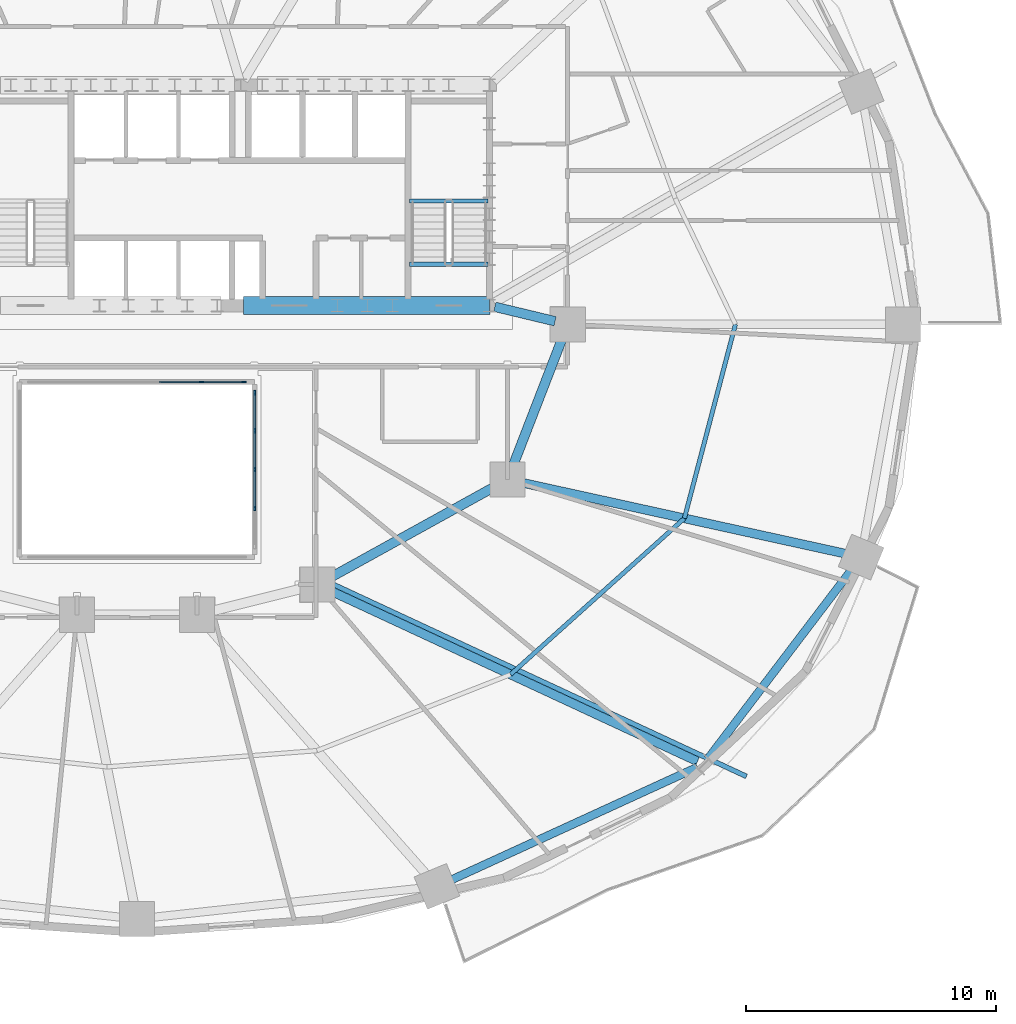
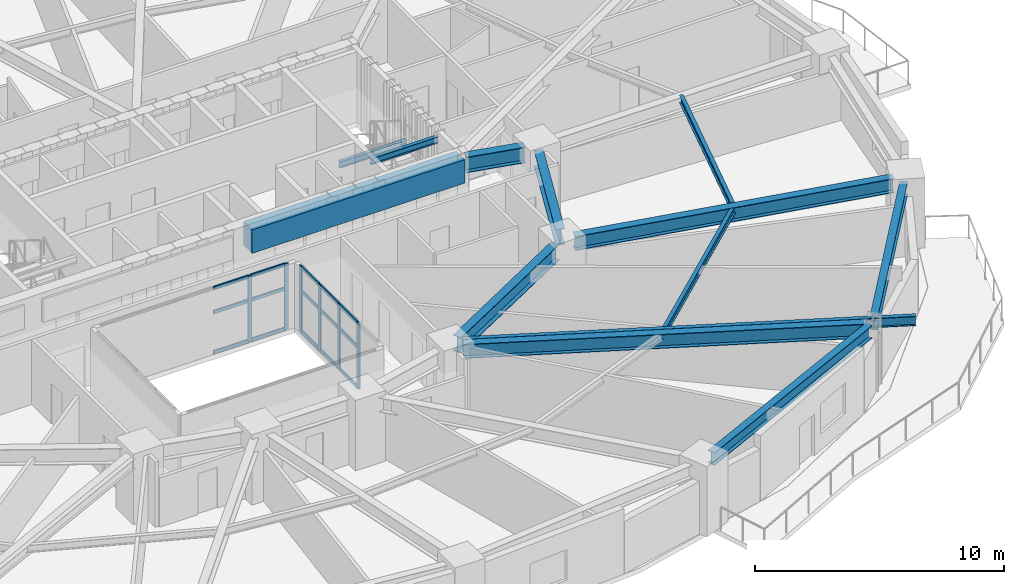
# One storey, part 6 of 17: 21 members, 13 beams, 2 elements without a shape of their own.
"""IFC4 building model written with IfcOpenShell, lengths in metres."""

import ifcopenshell
import ifcopenshell.guid

model = None  # the IFC model being written
_history = None  # IfcOwnerHistory: only IFC2X3 demands one
_inside = {}  # id of a spatial element -> (the spatial element, [elements in it])
_under = {}  # id of a project, library or spatial element -> (it, [spatial elements below it])
_declared = {}  # id of a project -> (the project, [libraries it declares])
_typed = {}  # id of a type object -> (the type object, [elements of that type])
_made_of = {}  # id of a material, layer set ... -> (it, [elements and type objects made of it])


def new_model(schema):
    """Start an empty IFC model of exactly this schema.

    Asked for "IFC4X3", IfcOpenShell would pick the latest addendum, in which some entities
    have other attributes; the version numbers below select the first issue.
    IFC2X3 requires an IfcOwnerHistory on every rooted entity: one is made here for all.
    """
    global model, _history
    if schema == "IFC4X3":
        model = ifcopenshell.file(schema_version=(4, 3, 0, 0))
    else:
        model = ifcopenshell.file(schema=schema)
    _inside.clear()
    _under.clear()
    _declared.clear()
    _typed.clear()
    _made_of.clear()
    _history = None
    if model.schema == "IFC2X3":
        org = make("IfcOrganization", Name="unknown")
        user = make(
            "IfcPersonAndOrganization",
            ThePerson=make("IfcPerson", FamilyName="unknown"),
            TheOrganization=org,
        )
        app = make(
            "IfcApplication",
            ApplicationDeveloper=org,
            Version="unknown",
            ApplicationFullName="unknown",
            ApplicationIdentifier="unknown",
        )
        _history = make(
            "IfcOwnerHistory",
            OwningUser=user,
            OwningApplication=app,
            ChangeAction="ADDED",
            CreationDate=0,
        )
    return model


def make(cls, **values):
    """One entity of the class cls with the attributes given. An attribute that is None is left unset."""
    return model.create_entity(
        cls, **{name: value for name, value in values.items() if value is not None}
    )


def rooted(cls, **values):
    """An entity with a GlobalId (a new one), such as an element, a storey or a relation."""
    return make(cls, GlobalId=ifcopenshell.guid.new(), OwnerHistory=_history, **values)


def si_unit(unit_type, name, prefix=None):
    """IfcSIUnit, for example si_unit("LENGTHUNIT", "METRE", prefix="MILLI")."""
    return make("IfcSIUnit", UnitType=unit_type, Prefix=prefix, Name=name)


def assignment(units):
    """IfcUnitAssignment: the units of a project."""
    return None if units is None else make("IfcUnitAssignment", Units=units)


def point(xyz):
    """IfcCartesianPoint."""
    return None if xyz is None else make("IfcCartesianPoint", Coordinates=xyz)


def direction(xyz):
    """IfcDirection."""
    return None if xyz is None else make("IfcDirection", DirectionRatios=xyz)


def frame(location, z_axis=None, x_axis=None):
    """IfcAxis2Placement3D, a coordinate frame: its origin and axes. An axis left out is left unset."""
    return make(
        "IfcAxis2Placement3D",
        Location=point(location),
        Axis=direction(z_axis),
        RefDirection=direction(x_axis),
    )


def frame_2d(location, x_axis=None):
    """IfcAxis2Placement2D, a coordinate frame in the plane: its origin and x axis."""
    return make(
        "IfcAxis2Placement2D", Location=point(location), RefDirection=direction(x_axis)
    )


def origin():
    """The frame at (0, 0, 0) with its axes left unset."""
    return frame((0.0, 0.0, 0.0))


def origin_2d():
    """The frame at (0, 0) in the plane with its x axis left unset."""
    return frame_2d((0.0, 0.0))


def place(relative_to, where):
    """IfcLocalPlacement: puts the frame where relative to a parent placement (None: the world)."""
    return make(
        "IfcLocalPlacement", PlacementRelTo=relative_to, RelativePlacement=where
    )


def context(
    kind, dimensions, precision=None, world=None, true_north=None, identifier=None
):
    """IfcGeometricRepresentationContext, for example the 3D "Model" context."""
    return make(
        "IfcGeometricRepresentationContext",
        ContextIdentifier=identifier,
        ContextType=kind,
        CoordinateSpaceDimension=dimensions,
        Precision=precision,
        WorldCoordinateSystem=world,
        TrueNorth=true_north,
    )


def subcontext(parent, identifier, kind, view, scale=None):
    """IfcGeometricRepresentationSubContext, for example "Body" below "Model"."""
    return make(
        "IfcGeometricRepresentationSubContext",
        ContextIdentifier=identifier,
        ContextType=kind,
        ParentContext=parent,
        TargetScale=scale,
        TargetView=view,
    )


def project(units=None, contexts=None):
    """IfcProject with its units and contexts."""
    return rooted(
        "IfcProject",
        Name="project",
        RepresentationContexts=contexts,
        UnitsInContext=assignment(units),
    )


def spatial(cls, under=None, at=None, **own):
    """A site, building, storey or space (cls), placed at a placement, below another one or the project."""
    s = rooted(cls, ObjectPlacement=at, **own)
    if under is not None:
        _under.setdefault(under.id(), (under, []))[1].append(s)
    return s


def profile(cls, at=None, kind="AREA", **sizes):
    """A parametric profile (cls). Its sizes go by their IFC names, for example OverallWidth=200.0."""
    return make(cls, ProfileType=kind, Position=at, **sizes)


def rectangle(**sizes):
    """IfcRectangleProfileDef."""
    return profile("IfcRectangleProfileDef", **sizes)


def i_section(**sizes):
    """IfcIShapeProfileDef."""
    return profile("IfcIShapeProfileDef", **sizes)


def extrude(swept, where, along, depth):
    """IfcExtrudedAreaSolid: the profile swept, set in the frame where, extruded along a direction by depth."""
    return make(
        "IfcExtrudedAreaSolid",
        SweptArea=swept,
        Position=where,
        ExtrudedDirection=direction(along),
        Depth=depth,
    )


def shape(context_of_items, identifier, shape_type, items):
    """IfcShapeRepresentation: the items that make up one representation, for example the "Body"."""
    return make(
        "IfcShapeRepresentation",
        ContextOfItems=context_of_items,
        RepresentationIdentifier=identifier,
        RepresentationType=shape_type,
        Items=items,
    )


def material(Name=None, Category=None):
    """IfcMaterial."""
    return make("IfcMaterial", Name=Name, Category=Category)


def material_profile(
    of_material, cross_section, Name=None, Category=None, Priority=None
):
    """IfcMaterialProfile: a cross section and its material."""
    return make(
        "IfcMaterialProfile",
        Name=Name,
        Material=of_material,
        Profile=cross_section,
        Priority=Priority,
        Category=Category,
    )


def profile_set(profiles, Name=None, composite=None):
    """IfcMaterialProfileSet."""
    return make(
        "IfcMaterialProfileSet",
        Name=Name,
        MaterialProfiles=profiles,
        CompositeProfile=composite,
    )


def made_of(thing, what):
    """Note that an element or type object is made of a material, layer set ...; save() writes the relation."""
    if what is not None:
        _made_of.setdefault(what.id(), (what, []))[1].append(thing)
    return thing


def type_object(cls, material=None, **own):
    """A type object (cls), such as IfcWallType, which elements share."""
    return made_of(rooted(cls, **own), material)


def element(
    cls,
    number,
    at=None,
    inside=None,
    cuts=None,
    type_object=None,
    material=None,
    context=None,
    identifier="Body",
    shape_type=None,
    held_by="IfcProductDefinitionShape",
    body=None,
    shapes=None,
    **own,
):
    """One element of the class cls, such as IfcWall. Its Tag is "e" and its number.

    at: its placement. inside: the storey or other place that contains it. cuts: it is an
    opening in that element (IfcRelVoidsElement). A single representation is given by context,
    identifier, shape_type and body (its items); several are given by shapes. held_by: the class
    of the entity that holds the representations. save() writes the other relations.
    """
    e = rooted(cls, Tag="e%d" % number, ObjectPlacement=at, **own)
    if body is not None:
        shapes = [shape(context, identifier, shape_type, body)]
    if shapes is not None:
        e.Representation = make(held_by, Representations=shapes)
    if inside is not None:
        _inside.setdefault(inside.id(), (inside, []))[1].append(e)
    if cuts is not None:
        rooted(
            "IfcRelVoidsElement", RelatingBuildingElement=cuts, RelatedOpeningElement=e
        )
    if type_object is not None:
        _typed.setdefault(type_object.id(), (type_object, []))[1].append(e)
    return made_of(e, material)


def aggregate(whole, parts):
    """IfcRelAggregates: a whole, such as a stair, and the parts it consists of."""
    return rooted("IfcRelAggregates", RelatingObject=whole, RelatedObjects=parts)


def save(model, path):
    """Write the relations noted so far, then the file.

    IfcRelAggregates (storeys below a building ...), IfcRelContainedInSpatialStructure (elements
    in a storey), IfcRelDefinesByType, IfcRelAssociatesMaterial and IfcRelDeclares: one each for
    every whole, place, type object, material and project.
    """
    for whole, parts in _under.values():
        aggregate(whole, parts)
    for where, things in _inside.values():
        rooted(
            "IfcRelContainedInSpatialStructure",
            RelatedElements=things,
            RelatingStructure=where,
        )
    for kind, things in _typed.values():
        rooted("IfcRelDefinesByType", RelatedObjects=things, RelatingType=kind)
    for what, things in _made_of.values():
        rooted("IfcRelAssociatesMaterial", RelatedObjects=things, RelatingMaterial=what)
    for by, libraries in _declared.values():
        rooted("IfcRelDeclares", RelatingContext=by, RelatedDefinitions=libraries)
    model.write(path)


model = new_model("IFC4")

# Units and contexts
model_context = context("Model", 3, precision=1e-05, world=origin(), true_north=direction((0.0, 1.0)))
body_context = subcontext(model_context, "Body", "Model", "MODEL_VIEW")
ifc_project = project(units=[si_unit("LENGTHUNIT", "METRE"), si_unit("AREAUNIT", "SQUARE_METRE"), si_unit("VOLUMEUNIT", "CUBIC_METRE"), si_unit("PLANEANGLEUNIT", "RADIAN"), si_unit("MASSUNIT", "GRAM", prefix="KILO")], contexts=[model_context])

# Site, building, storey
site_placement = place(None, origin())
site = spatial("IfcSite", under=ifc_project, at=site_placement, CompositionType="ELEMENT")
building_placement = place(site_placement, origin())
building = spatial("IfcBuilding", under=site, at=building_placement, Name="Haldorwick Loom Tower", CompositionType="ELEMENT")
storey_placement = place(building_placement, frame((0.0, 0.0, 44.699951171875)))
storey = spatial("IfcBuildingStorey", under=building, at=storey_placement, Name="L11", CompositionType="ELEMENT", Elevation=44.699951171875)

# Curtain wall, members
ifc_material_1 = material(Name="Thermally Broken Anodized Aluminium Curtain Wall Framing", Category="aluminium")
curtain_wall_type = type_object("IfcCurtainWallType", Name="ARC-CW-03", PredefinedType="NOTDEFINED", material=ifc_material_1)
curtain_wall_1_placement = place(storey_placement, origin())
curtain_wall_1 = element("IfcCurtainWall", 1, at=curtain_wall_1_placement, inside=storey, type_object=curtain_wall_type, Name="L11 Atrium Glazed Screen N", PredefinedType="NOTDEFINED")
ifc_material_profile_1 = material_profile(ifc_material_1, rectangle(XDim=0.06591796875, YDim=0.18505859375, at=origin_2d()), Name="ALU_MUL_66X185", Category="aluminium")
ifc_profile_set_1 = profile_set([ifc_material_profile_1], Name="Thermally Broken Anodized Aluminium Curtain Wall Framing")
member_type_1 = type_object("IfcMemberType", Name="ARC-CWM-03", PredefinedType="MULLION", material=ifc_profile_set_1)
member_1_placement = place(storey_placement, frame((38.580078125, 23.699951171875, 0.0), z_axis=(0.0, 0.0, 1.0), x_axis=(0.0, 1.0, 0.0)))
member_1 = element("IfcMember", 2, at=member_1_placement, type_object=member_type_1, Name="CW-03 mullion 5", PredefinedType="MULLION", context=body_context, shape_type="SweptSolid", body=[
    extrude(rectangle(XDim=0.06591796875, YDim=0.18505859375, at=origin_2d()), origin(), (0.0, 0.0, 1.0), 3.2099609375),
])
member_2_placement = place(storey_placement, frame((40.26708984375, 23.699951171875, 0.0), z_axis=(0.0, 0.0, 1.0), x_axis=(0.0, 1.0, 0.0)))
member_2 = element("IfcMember", 3, at=member_2_placement, type_object=member_type_1, Name="CW-03 mullion 6", PredefinedType="MULLION", context=body_context, shape_type="SweptSolid", body=[
    extrude(rectangle(XDim=0.06591796875, YDim=0.18505859375, at=origin_2d()), origin(), (0.0, 0.0, 1.0), 3.2099609375),
])

curtain_wall_2_placement = place(storey_placement, origin())
curtain_wall_2 = element("IfcCurtainWall", 4, at=curtain_wall_2_placement, inside=storey, type_object=curtain_wall_type, Name="L11 Atrium Glazed Screen E", PredefinedType="NOTDEFINED")
member_3_placement = place(storey_placement, frame((40.699951171875, 23.26708984375, 0.0), z_axis=(0.0, 0.0, 1.0), x_axis=(1.0, 0.0, 0.0)))
member_3 = element("IfcMember", 5, at=member_3_placement, type_object=member_type_1, Name="CW-03 mullion 1", PredefinedType="MULLION", context=body_context, shape_type="SweptSolid", body=[
    extrude(rectangle(XDim=0.06591796875, YDim=0.18505859375, at=origin_2d()), origin(), (0.0, 0.0, 1.0), 3.2099609375),
])
member_4_placement = place(storey_placement, frame((40.699951171875, 21.75, 0.0), z_axis=(0.0, 0.0, 1.0), x_axis=(1.0, 0.0, 0.0)))
member_4 = element("IfcMember", 6, at=member_4_placement, type_object=member_type_1, Name="CW-03 mullion 2", PredefinedType="MULLION", context=body_context, shape_type="SweptSolid", body=[
    extrude(rectangle(XDim=0.06591796875, YDim=0.18505859375, at=origin_2d()), origin(), (0.0, 0.0, 1.0), 3.2099609375),
])
member_5_placement = place(storey_placement, frame((40.699951171875, 20.199951171875, 0.0), z_axis=(0.0, 0.0, 1.0), x_axis=(1.0, 0.0, 0.0)))
member_5 = element("IfcMember", 7, at=member_5_placement, type_object=member_type_1, Name="CW-03 mullion 3", PredefinedType="MULLION", context=body_context, shape_type="SweptSolid", body=[
    extrude(rectangle(XDim=0.06591796875, YDim=0.18505859375, at=origin_2d()), origin(), (0.0, 0.0, 1.0), 3.2099609375),
])
member_6_placement = place(storey_placement, frame((40.699951171875, 18.64990234375, 0.0), z_axis=(0.0, 0.0, 1.0), x_axis=(1.0, 0.0, 0.0)))
member_6 = element("IfcMember", 8, at=member_6_placement, type_object=member_type_1, Name="CW-03 mullion 4", PredefinedType="MULLION", context=body_context, shape_type="SweptSolid", body=[
    extrude(rectangle(XDim=0.06591796875, YDim=0.18505859375, at=origin_2d()), origin(), (0.0, 0.0, 1.0), 3.2099609375),
])

# Member
ifc_material_profile_2 = material_profile(ifc_material_1, rectangle(XDim=0.06591796875, YDim=0.1650390625, at=origin_2d()), Name="ALU_TRN_66X165", Category="aluminium")
ifc_profile_set_2 = profile_set([ifc_material_profile_2], Name="Thermally Broken Anodized Aluminium Curtain Wall Framing")
member_type_2 = type_object("IfcMemberType", Name="ARC-CWT-03", PredefinedType="USERDEFINED", material=ifc_profile_set_2)
member_7_placement = place(storey_placement, frame((36.89306640625, 23.699951171875, 0.032958984375), z_axis=(1.0, 0.0, 0.0), x_axis=(0.0, 1.0, 0.0)))
member_7 = element("IfcMember", 9, at=member_7_placement, type_object=member_type_2, Name="CW-03 transom 4.1", ObjectType="TRANSOM", PredefinedType="USERDEFINED", context=body_context, shape_type="SweptSolid", body=[
    extrude(rectangle(XDim=0.06591796875, YDim=0.1650390625, at=origin_2d()), origin(), (0.0, 0.0, 1.0), 1.654052734375),
])

member_8_placement = place(storey_placement, frame((36.89306640625, 23.699951171875, 2.0), z_axis=(1.0, 0.0, 0.0), x_axis=(0.0, 1.0, 0.0)))
member_8 = element("IfcMember", 10, at=member_8_placement, type_object=member_type_2, Name="CW-03 transom 4.2", ObjectType="TRANSOM", PredefinedType="USERDEFINED", context=body_context, shape_type="SweptSolid", body=[
    extrude(rectangle(XDim=0.06591796875, YDim=0.1650390625, at=origin_2d()), origin(), (0.0, 0.0, 1.0), 1.654052734375),
])

member_9_placement = place(storey_placement, frame((36.89306640625, 23.699951171875, 3.177001953125), z_axis=(1.0, 0.0, 0.0), x_axis=(0.0, 1.0, 0.0)))
member_9 = element("IfcMember", 11, at=member_9_placement, type_object=member_type_2, Name="CW-03 transom 4.3", ObjectType="TRANSOM", PredefinedType="USERDEFINED", context=body_context, shape_type="SweptSolid", body=[
    extrude(rectangle(XDim=0.06591796875, YDim=0.1650390625, at=origin_2d()), origin(), (0.0, 0.0, 1.0), 1.654052734375),
])

member_10_placement = place(storey_placement, frame((38.613037109375, 23.699951171875, 0.032958984375), z_axis=(1.0, 0.0, 0.0), x_axis=(0.0, 1.0, 0.0)))
member_10 = element("IfcMember", 12, at=member_10_placement, type_object=member_type_2, Name="CW-03 transom 5.1", ObjectType="TRANSOM", PredefinedType="USERDEFINED", context=body_context, shape_type="SweptSolid", body=[
    extrude(rectangle(XDim=0.06591796875, YDim=0.1650390625, at=origin_2d()), origin(), (0.0, 0.0, 1.0), 1.620849609375),
])

member_11_placement = place(storey_placement, frame((38.613037109375, 23.699951171875, 2.0), z_axis=(1.0, 0.0, 0.0), x_axis=(0.0, 1.0, 0.0)))
member_11 = element("IfcMember", 13, at=member_11_placement, type_object=member_type_2, Name="CW-03 transom 5.2", ObjectType="TRANSOM", PredefinedType="USERDEFINED", context=body_context, shape_type="SweptSolid", body=[
    extrude(rectangle(XDim=0.06591796875, YDim=0.1650390625, at=origin_2d()), origin(), (0.0, 0.0, 1.0), 1.620849609375),
])

member_12_placement = place(storey_placement, frame((38.613037109375, 23.699951171875, 3.177001953125), z_axis=(1.0, 0.0, 0.0), x_axis=(0.0, 1.0, 0.0)))
member_12 = element("IfcMember", 14, at=member_12_placement, type_object=member_type_2, Name="CW-03 transom 5.3", ObjectType="TRANSOM", PredefinedType="USERDEFINED", context=body_context, shape_type="SweptSolid", body=[
    extrude(rectangle(XDim=0.06591796875, YDim=0.1650390625, at=origin_2d()), origin(), (0.0, 0.0, 1.0), 1.620849609375),
])

aggregate(curtain_wall_1, [member_1, member_2, member_7, member_8, member_9, member_10, member_11, member_12])

member_13_placement = place(storey_placement, frame((40.699951171875, 23.23388671875, 0.032958984375), z_axis=(0.0, -1.0, 0.0), x_axis=(1.0, 0.0, 0.0)))
member_13 = element("IfcMember", 15, at=member_13_placement, type_object=member_type_2, Name="CW-03 transom 1.1", ObjectType="TRANSOM", PredefinedType="USERDEFINED", context=body_context, shape_type="SweptSolid", body=[
    extrude(rectangle(XDim=0.06591796875, YDim=0.1650390625, at=origin_2d()), origin(), (0.0, 0.0, 1.0), 1.450927734375),
])

member_14_placement = place(storey_placement, frame((40.699951171875, 23.23388671875, 2.0), z_axis=(0.0, -1.0, 0.0), x_axis=(1.0, 0.0, 0.0)))
member_14 = element("IfcMember", 16, at=member_14_placement, type_object=member_type_2, Name="CW-03 transom 1.2", ObjectType="TRANSOM", PredefinedType="USERDEFINED", context=body_context, shape_type="SweptSolid", body=[
    extrude(rectangle(XDim=0.06591796875, YDim=0.1650390625, at=origin_2d()), origin(), (0.0, 0.0, 1.0), 1.450927734375),
])

member_15_placement = place(storey_placement, frame((40.699951171875, 23.23388671875, 3.177001953125), z_axis=(0.0, -1.0, 0.0), x_axis=(1.0, 0.0, 0.0)))
member_15 = element("IfcMember", 17, at=member_15_placement, type_object=member_type_2, Name="CW-03 transom 1.3", ObjectType="TRANSOM", PredefinedType="USERDEFINED", context=body_context, shape_type="SweptSolid", body=[
    extrude(rectangle(XDim=0.06591796875, YDim=0.1650390625, at=origin_2d()), origin(), (0.0, 0.0, 1.0), 1.450927734375),
])

member_16_placement = place(storey_placement, frame((40.699951171875, 21.717041015625, 0.032958984375), z_axis=(0.0, -1.0, 0.0), x_axis=(1.0, 0.0, 0.0)))
member_16 = element("IfcMember", 18, at=member_16_placement, type_object=member_type_2, Name="CW-03 transom 2.1", ObjectType="TRANSOM", PredefinedType="USERDEFINED", context=body_context, shape_type="SweptSolid", body=[
    extrude(rectangle(XDim=0.06591796875, YDim=0.1650390625, at=origin_2d()), origin(), (0.0, 0.0, 1.0), 1.484130859375),
])

member_17_placement = place(storey_placement, frame((40.699951171875, 21.717041015625, 2.0), z_axis=(0.0, -1.0, 0.0), x_axis=(1.0, 0.0, 0.0)))
member_17 = element("IfcMember", 19, at=member_17_placement, type_object=member_type_2, Name="CW-03 transom 2.2", ObjectType="TRANSOM", PredefinedType="USERDEFINED", context=body_context, shape_type="SweptSolid", body=[
    extrude(rectangle(XDim=0.06591796875, YDim=0.1650390625, at=origin_2d()), origin(), (0.0, 0.0, 1.0), 1.484130859375),
])

member_18_placement = place(storey_placement, frame((40.699951171875, 21.717041015625, 3.177001953125), z_axis=(0.0, -1.0, 0.0), x_axis=(1.0, 0.0, 0.0)))
member_18 = element("IfcMember", 20, at=member_18_placement, type_object=member_type_2, Name="CW-03 transom 2.3", ObjectType="TRANSOM", PredefinedType="USERDEFINED", context=body_context, shape_type="SweptSolid", body=[
    extrude(rectangle(XDim=0.06591796875, YDim=0.1650390625, at=origin_2d()), origin(), (0.0, 0.0, 1.0), 1.484130859375),
])

member_19_placement = place(storey_placement, frame((40.699951171875, 20.1669921875, 0.032958984375), z_axis=(0.0, -1.0, 0.0), x_axis=(1.0, 0.0, 0.0)))
member_19 = element("IfcMember", 21, at=member_19_placement, type_object=member_type_2, Name="CW-03 transom 3.1", ObjectType="TRANSOM", PredefinedType="USERDEFINED", context=body_context, shape_type="SweptSolid", body=[
    extrude(rectangle(XDim=0.06591796875, YDim=0.1650390625, at=origin_2d()), origin(), (0.0, 0.0, 1.0), 1.48388671875),
])

member_20_placement = place(storey_placement, frame((40.699951171875, 20.1669921875, 2.0), z_axis=(0.0, -1.0, 0.0), x_axis=(1.0, 0.0, 0.0)))
member_20 = element("IfcMember", 22, at=member_20_placement, type_object=member_type_2, Name="CW-03 transom 3.2", ObjectType="TRANSOM", PredefinedType="USERDEFINED", context=body_context, shape_type="SweptSolid", body=[
    extrude(rectangle(XDim=0.06591796875, YDim=0.1650390625, at=origin_2d()), origin(), (0.0, 0.0, 1.0), 1.48388671875),
])

member_21_placement = place(storey_placement, frame((40.699951171875, 20.1669921875, 3.177001953125), z_axis=(0.0, -1.0, 0.0), x_axis=(1.0, 0.0, 0.0)))
member_21 = element("IfcMember", 23, at=member_21_placement, type_object=member_type_2, Name="CW-03 transom 3.3", ObjectType="TRANSOM", PredefinedType="USERDEFINED", context=body_context, shape_type="SweptSolid", body=[
    extrude(rectangle(XDim=0.06591796875, YDim=0.1650390625, at=origin_2d()), origin(), (0.0, 0.0, 1.0), 1.48388671875),
])

aggregate(curtain_wall_2, [member_3, member_4, member_5, member_6, member_13, member_14, member_15, member_16, member_17, member_18, member_19, member_20, member_21])

# Beams
ifc_material_2 = material(Name="Steel CSA G40.21 350W", Category="steel")
ifc_material_profile_3 = material_profile(ifc_material_2, i_section(OverallWidth=0.193115234375, OverallDepth=0.466064453125, WebThickness=0.011474609375, FlangeThickness=0.01904296875, at=origin_2d()), Name="W460X97", Category="steel")
ifc_profile_set_3 = profile_set([ifc_material_profile_3], Name="Steel CSA G40.21 350W")
beam_type_1 = type_object("IfcBeamType", Name="STR-BM-BAL460", PredefinedType="BEAM", material=ifc_profile_set_3)
beam_1_placement = place(storey_placement, frame((43.78955078125, 15.634765625, 2.97705078125), z_axis=(0.906835669686, -0.42148436292, 0.0), x_axis=(0.42148436292, 0.906835669686, 0.0)))
element("IfcBeam", 24, at=beam_1_placement, inside=storey, type_object=beam_type_1, Name="L11 Continuous Back-Spanned Balcony Beam 1", PredefinedType="BEAM", context=body_context, shape_type="SweptSolid", body=[
    extrude(i_section(OverallWidth=0.193115234375, OverallDepth=0.466064453125, WebThickness=0.011474609375, FlangeThickness=0.01904296875, at=origin_2d()), origin(), (0.0, 0.0, 1.0), 18.245361328125),
])
ifc_material_3 = material(Name="Concrete C60 (60 MPa)", Category="concrete")
ifc_material_profile_4 = material_profile(ifc_material_3, rectangle(XDim=0.699951171875, YDim=1.14990234375, at=origin_2d()), Name="RC700X1150", Category="concrete")
ifc_profile_set_4 = profile_set([ifc_material_profile_4], Name="Concrete C60 (60 MPa)")
beam_type_2 = type_object("IfcBeamType", Name="STR-BM-CB1150", PredefinedType="LINTEL", material=ifc_profile_set_4)
beam_2_placement = place(storey_placement, frame((40.25, 26.75, 2.635009765625), z_axis=(1.0, 0.0, 0.0), x_axis=(0.0, 1.0, 0.0)))
element("IfcBeam", 25, at=beam_2_placement, inside=storey, type_object=beam_type_2, Name="L11 Core Coupling Beam CB-S3", PredefinedType="LINTEL", context=body_context, shape_type="SweptSolid", body=[
    extrude(rectangle(XDim=0.699951171875, YDim=1.14990234375, at=origin_2d()), origin(), (0.0, 0.0, 1.0), 9.85009765625),
])
ifc_material_profile_5 = material_profile(ifc_material_2, i_section(OverallWidth=0.172119140625, OverallDepth=0.35791015625, WebThickness=0.0078125, FlangeThickness=0.01318359375, at=origin_2d()), Name="W360X57", Category="steel")
ifc_profile_set_5 = profile_set([ifc_material_profile_5], Name="Steel CSA G40.21 350W")
beam_type_3 = type_object("IfcBeamType", Name="STR-BM-J360", PredefinedType="JOIST", material=ifc_profile_set_5)
beam_3_placement = place(storey_placement, frame((50.9150390625, 12.01416015625, 3.031005859375), z_axis=(0.743981830112, 0.668199847698, 0.0), x_axis=(-0.668199847698, 0.743981830112, 0.0)))
element("IfcBeam", 26, at=beam_3_placement, inside=storey, type_object=beam_type_3, Name="L11 Mid-Bay Secondary Joist 15", PredefinedType="JOIST", context=body_context, shape_type="SweptSolid", body=[
    extrude(i_section(OverallWidth=0.172119140625, OverallDepth=0.35791015625, WebThickness=0.0078125, FlangeThickness=0.01318359375, at=origin_2d()), origin(), (0.0, 0.0, 1.0), 9.3330078125),
])
beam_4_placement = place(storey_placement, frame((57.858642578125, 18.25048828125, 3.031005859375), z_axis=(0.2544888003, 0.967075721193, 0.0), x_axis=(-0.967075721193, 0.2544888003, 0.0)))
element("IfcBeam", 27, at=beam_4_placement, inside=storey, type_object=beam_type_3, Name="L11 Mid-Bay Secondary Joist 16", PredefinedType="JOIST", context=body_context, shape_type="SweptSolid", body=[
    extrude(i_section(OverallWidth=0.172119140625, OverallDepth=0.35791015625, WebThickness=0.0078125, FlangeThickness=0.01318359375, at=origin_2d()), origin(), (0.0, 0.0, 1.0), 8.013427734375),
])
ifc_material_profile_6 = material_profile(ifc_material_2, i_section(OverallWidth=0.324951171875, OverallDepth=0.615966796875, WebThickness=0.013916015625, FlangeThickness=0.021484375, at=origin_2d()), Name="W610X174", Category="steel")
ifc_profile_set_6 = profile_set([ifc_material_profile_6], Name="Steel CSA G40.21 350W")
beam_type_4 = type_object("IfcBeamType", Name="STR-BM-SP610", PredefinedType="SPANDREL", material=ifc_profile_set_6)
beam_5_placement = place(storey_placement, frame((48.45068359375, 3.76611328125, 2.902099609375), z_axis=(0.909173805321, 0.416416848504, 0.0), x_axis=(-0.416416848504, 0.909173805321, 0.0)))
element("IfcBeam", 28, at=beam_5_placement, inside=storey, type_object=beam_type_4, Name="L11 Perimeter Spandrel 14", PredefinedType="SPANDREL", context=body_context, shape_type="SweptSolid", body=[
    extrude(i_section(OverallWidth=0.324951171875, OverallDepth=0.615966796875, WebThickness=0.013916015625, FlangeThickness=0.021484375, at=origin_2d()), origin(), (0.0, 0.0, 1.0), 10.92138671875),
])
beam_6_placement = place(storey_placement, frame((58.796630859375, 8.647216796875, 2.902099609375), z_axis=(0.605084557744, 0.796161213562, 0.0), x_axis=(-0.796161213562, 0.605084557744, 0.0)))
element("IfcBeam", 29, at=beam_6_placement, inside=storey, type_object=beam_type_4, Name="L11 Perimeter Spandrel 15", PredefinedType="SPANDREL", context=body_context, shape_type="SweptSolid", body=[
    extrude(i_section(OverallWidth=0.324951171875, OverallDepth=0.615966796875, WebThickness=0.013916015625, FlangeThickness=0.021484375, at=origin_2d()), origin(), (0.0, 0.0, 1.0), 9.595703125),
])
ifc_material_profile_7 = material_profile(ifc_material_2, i_section(OverallWidth=0.166015625, OverallDepth=0.31298828125, WebThickness=0.006591796875, FlangeThickness=0.01123046875, at=origin_2d()), Name="W310X45", Category="steel")
ifc_profile_set_7 = profile_set([ifc_material_profile_7], Name="Steel CSA G40.21 350W")
beam_type_5 = type_object("IfcBeamType", Name="STR-BM-STRM", PredefinedType="BEAM", material=ifc_profile_set_7)
for number, where, z_axis, x_axis, name in (
    (30, (46.889892578125, 28.39990234375, 3.053466796875), (1.0, 0.0, 0.0), (0.0, 1.0, 0.0), "L11 Stair ST-02 Landing Edge Trimmer"),
    (31, (46.889892578125, 30.919921875, 1.36865234375), (1.0, 0.0, 0.0), (0.0, 1.0, 0.0), "L11 Stair ST-02 Half-Landing Trimmer 1"),
):
    element("IfcBeam", number, at=place(storey_placement, frame(where, z_axis=z_axis, x_axis=x_axis)), inside=storey, type_object=beam_type_5, Name=name, PredefinedType="BEAM", context=body_context, shape_type="SweptSolid", body=[
        extrude(i_section(OverallWidth=0.166015625, OverallDepth=0.31298828125, WebThickness=0.006591796875, FlangeThickness=0.01123046875, at=origin_2d()), origin(), (0.0, 0.0, 1.0), 3.1201171875),
    ])
ifc_material_profile_8 = material_profile(ifc_material_2, i_section(OverallWidth=0.35498046875, OverallDepth=0.695068359375, WebThickness=0.015380859375, FlangeThickness=0.02490234375, at=origin_2d()), Name="W690X217", Category="steel")
ifc_profile_set_8 = profile_set([ifc_material_profile_8], Name="Steel CSA G40.21 350W")
beam_type_6 = type_object("IfcBeamType", Name="STR-BM-W690", PredefinedType="BEAM", material=ifc_profile_set_8)
beam_7_placement = place(storey_placement, frame((43.671630859375, 15.380859375, 2.862548828125), z_axis=(0.90683498532, -0.421485835349, 0.0), x_axis=(0.421485835349, 0.90683498532, 0.0)))
element("IfcBeam", 32, at=beam_7_placement, inside=storey, type_object=beam_type_6, Name="L11 Radial Floor Girder 15", PredefinedType="BEAM", context=body_context, shape_type="SweptSolid", body=[
    extrude(i_section(OverallWidth=0.35498046875, OverallDepth=0.695068359375, WebThickness=0.015380859375, FlangeThickness=0.02490234375, at=origin_2d()), origin(), (0.0, 0.0, 1.0), 16.220458984375),
])
beam_8_placement = place(storey_placement, frame((51.307861328125, 19.6884765625, 2.862548828125), z_axis=(0.976740159434, -0.214426353203, 0.0), x_axis=(0.214426353203, 0.976740159434, 0.0)))
element("IfcBeam", 33, at=beam_8_placement, inside=storey, type_object=beam_type_6, Name="L11 Radial Floor Girder 16", PredefinedType="BEAM", context=body_context, shape_type="SweptSolid", body=[
    extrude(i_section(OverallWidth=0.35498046875, OverallDepth=0.695068359375, WebThickness=0.015380859375, FlangeThickness=0.02490234375, at=origin_2d()), origin(), (0.0, 0.0, 1.0), 13.41357421875),
])
ifc_material_profile_9 = material_profile(ifc_material_2, i_section(OverallWidth=0.381103515625, OverallDepth=0.77294921875, WebThickness=0.0166015625, FlangeThickness=0.027587890625, at=origin_2d()), Name="W760X257", Category="steel")
ifc_profile_set_9 = profile_set([ifc_material_profile_9], Name="Steel CSA G40.21 350W")
beam_type_7 = type_object("IfcBeamType", Name="STR-BM-W760", PredefinedType="BEAM", material=ifc_profile_set_9)
beam_9_placement = place(storey_placement, frame((50.288818359375, 26.697509765625, 2.823486328125), z_axis=(0.97247055837, -0.233025777764, 0.0), x_axis=(0.233025777764, 0.97247055837, 0.0)))
element("IfcBeam", 34, at=beam_9_placement, inside=storey, type_object=beam_type_7, Name="L11 Inner Ring Girder 1", PredefinedType="BEAM", context=body_context, shape_type="SweptSolid", body=[
    extrude(i_section(OverallWidth=0.381103515625, OverallDepth=0.77294921875, WebThickness=0.0166015625, FlangeThickness=0.027587890625, at=origin_2d()), origin(), (0.0, 0.0, 1.0), 2.4736328125),
])
beam_10_placement = place(storey_placement, frame((53.01220703125, 25.51513671875, 2.823486328125), z_axis=(-0.360964792353, -0.93257944363, 0.0), x_axis=(0.93257944363, -0.360964792353, 0.0)))
element("IfcBeam", 35, at=beam_10_placement, inside=storey, type_object=beam_type_7, Name="L11 Inner Ring Girder 2", PredefinedType="BEAM", context=body_context, shape_type="SweptSolid", body=[
    extrude(i_section(OverallWidth=0.381103515625, OverallDepth=0.77294921875, WebThickness=0.0166015625, FlangeThickness=0.027587890625, at=origin_2d()), origin(), (0.0, 0.0, 1.0), 5.6083984375),
])
beam_11_placement = place(storey_placement, frame((50.344970703125, 19.548583984375, 2.823486328125), z_axis=(-0.875244382146, -0.483680960471, 0.0), x_axis=(0.483680960471, -0.875244382146, 0.0)))
element("IfcBeam", 36, at=beam_11_placement, inside=storey, type_object=beam_type_7, Name="L11 Inner Ring Girder 3", PredefinedType="BEAM", context=body_context, shape_type="SweptSolid", body=[
    extrude(i_section(OverallWidth=0.381103515625, OverallDepth=0.77294921875, WebThickness=0.0166015625, FlangeThickness=0.027587890625, at=origin_2d()), origin(), (0.0, 0.0, 1.0), 7.6435546875),
])

save(model, "model.ifc")
